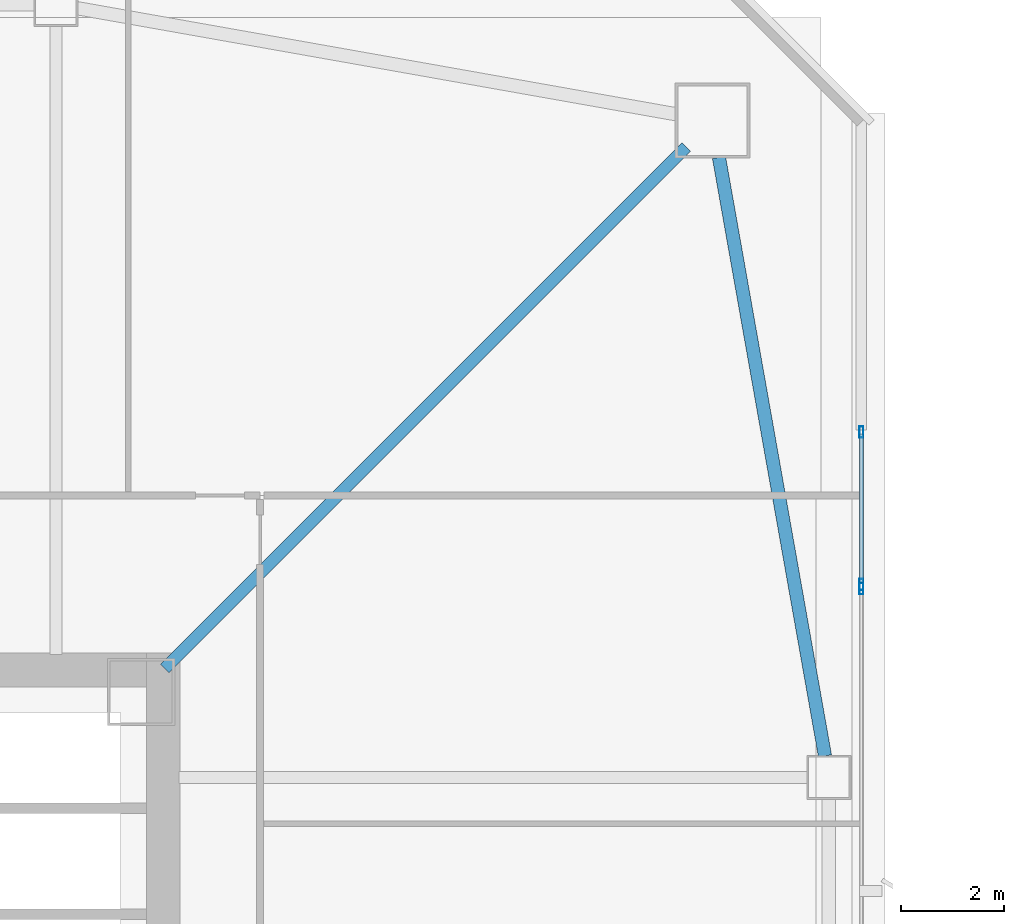
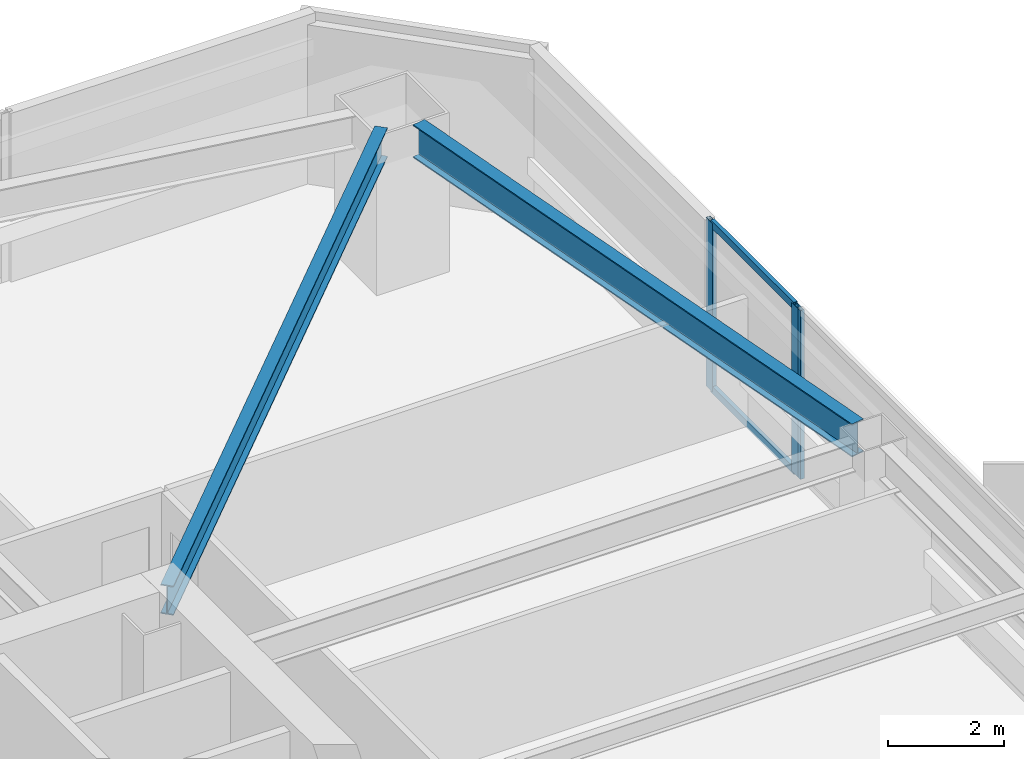
# One storey, part 17 of 49: 5 members, 2 beams, 2 elements without a shape of their own.
"""IFC4 building model written with IfcOpenShell, lengths in metres."""

from ifc_helpers import new_model, si_unit, direction, frame, origin, origin_2d, place, context, subcontext, project, spatial, hollow_rectangle, i_section, extrude, material, material_profile, profile_set, type_object, element, aggregate, save


model = new_model("IFC4")

# Units and contexts
model_context = context("Model", 3, precision=1e-05, world=origin(), true_north=direction((0.0, 1.0)))
body_context = subcontext(model_context, "Body", "Model", "MODEL_VIEW")
ifc_project = project(units=[si_unit("LENGTHUNIT", "METRE"), si_unit("AREAUNIT", "SQUARE_METRE"), si_unit("VOLUMEUNIT", "CUBIC_METRE"), si_unit("PLANEANGLEUNIT", "RADIAN"), si_unit("MASSUNIT", "GRAM", prefix="KILO")], contexts=[model_context])

# Site, building, storey
site_placement = place(None, origin())
site = spatial("IfcSite", under=ifc_project, at=site_placement, CompositionType="ELEMENT")
building_placement = place(site_placement, origin())
building = spatial("IfcBuilding", under=site, at=building_placement, Name="Tashvorn Skyway Center", CompositionType="ELEMENT")
storey_placement = place(building_placement, frame((0.0, 0.0, 70.75)))
storey = spatial("IfcBuildingStorey", under=building, at=storey_placement, Name="L18", CompositionType="ELEMENT", Elevation=70.75)

# Beams
ifc_material_1 = material(Name="Steel ASTM A992 Grade 50", Category="steel")
ifc_material_profile_1 = material_profile(ifc_material_1, i_section(OverallWidth=0.22998046875, OverallDepth=0.616943359375, WebThickness=0.01318359375, FlangeThickness=0.022216796875, at=origin_2d()), Name="W24X94")
ifc_profile_set_1 = profile_set([ifc_material_profile_1], Name="Steel ASTM A992 Grade 50")
beam_type_1 = type_object("IfcBeamType", Name="BM-BEAM-W24X94", PredefinedType="BEAM", material=ifc_profile_set_1)
beam_1_placement = place(storey_placement, frame((59.5908203125, 49.5908203125, 3.04150390625), z_axis=(-0.707106781187, -0.707106781187, 0.0), x_axis=(0.707106781187, -0.707106781187, 0.0)))
element("IfcBeam", 1, at=beam_1_placement, inside=storey, type_object=beam_type_1, Name="Tower 1 L18 Primary Floor Girder MC-NE", PredefinedType="BEAM", context=body_context, shape_type="SweptSolid", body=[
    extrude(i_section(OverallWidth=0.22998046875, OverallDepth=0.616943359375, WebThickness=0.01318359375, FlangeThickness=0.022216796875, at=origin_2d()), origin(), (0.0, 0.0, 1.0), 14.261962890625),
])
ifc_material_profile_2 = material_profile(ifc_material_1, i_section(OverallWidth=0.256103515625, OverallDepth=0.693115234375, WebThickness=0.014404296875, FlangeThickness=0.023681640625, at=origin_2d()), Name="W27X114")
ifc_profile_set_2 = profile_set([ifc_material_profile_2], Name="Steel ASTM A992 Grade 50")
beam_type_2 = type_object("IfcBeamType", Name="BM-SPANDREL-W27X114", PredefinedType="SPANDREL", material=ifc_profile_set_2)
beam_2_placement = place(storey_placement, frame((62.276611328125, 37.8134765625, 3.00341796875), z_axis=(-0.174437966698, 0.98466816531, 0.0), x_axis=(-0.98466816531, -0.174437966698, 0.0)))
element("IfcBeam", 2, at=beam_2_placement, inside=storey, type_object=beam_type_2, Name="Tower 1 L18 Spandrel Beam 06", PredefinedType="SPANDREL", context=body_context, shape_type="SweptSolid", body=[
    extrude(i_section(OverallWidth=0.256103515625, OverallDepth=0.693115234375, WebThickness=0.014404296875, FlangeThickness=0.023681640625, at=origin_2d()), origin(), (0.0, 0.0, 1.0), 11.7578125),
])

# Curtain wall, members
ifc_material_2 = material(Name="Thermally broken bronze-anodized aluminium 6063-T6", Category="aluminium")
curtain_wall_type = type_object("IfcCurtainWallType", Name="CW-CW-Z2", PredefinedType="NOTDEFINED", material=ifc_material_2)
curtain_wall_1_placement = place(storey_placement, origin())
curtain_wall_1 = element("IfcCurtainWall", 3, at=curtain_wall_1_placement, inside=storey, type_object=curtain_wall_type, Name="Tower 1 L18 East Unitised Curtain Wall Glazing Group 1", PredefinedType="NOTDEFINED")
ifc_material_profile_3 = material_profile(ifc_material_2, hollow_rectangle(XDim=0.080078125, YDim=0.219970703125, WallThickness=0.0048828125, at=origin_2d()), Name="ALU-MULL-80x220")
ifc_profile_set_3 = profile_set([ifc_material_profile_3], Name="Thermally broken bronze-anodized aluminium 6063-T6")
member_type_1 = type_object("IfcMemberType", Name="CWM-CW-Z2", PredefinedType="MULLION", material=ifc_profile_set_3)
member_1_placement = place(storey_placement, frame((62.97998046875, 44.080078125, 0.0), z_axis=(0.0, 0.0, 1.0), x_axis=(1.0, 0.0, 0.0)))
member_1 = element("IfcMember", 4, at=member_1_placement, type_object=member_type_1, Name="CW-Z2 mullion 1", PredefinedType="MULLION", context=body_context, shape_type="SweptSolid", body=[
    extrude(hollow_rectangle(XDim=0.080078125, YDim=0.219970703125, WallThickness=0.0048828125, at=origin_2d()), origin(), (0.0, 0.0, 1.0), 3.550048828125),
])
member_2_placement = place(storey_placement, frame((62.97998046875, 41.1298828125, 0.0), z_axis=(0.0, 0.0, 1.0), x_axis=(1.0, 0.0, 0.0)))
member_2 = element("IfcMember", 5, at=member_2_placement, type_object=member_type_1, Name="CW-Z2 mullion 2", PredefinedType="MULLION", context=body_context, shape_type="SweptSolid", body=[
    extrude(hollow_rectangle(XDim=0.080078125, YDim=0.219970703125, WallThickness=0.0048828125, at=origin_2d()), origin(), (0.0, 0.0, 1.0), 3.550048828125),
])

# Curtain wall, member
curtain_wall_2_placement = place(storey_placement, origin())
curtain_wall_2 = element("IfcCurtainWall", 6, at=curtain_wall_2_placement, inside=storey, type_object=curtain_wall_type, Name="Tower 1 L18 East Unitised Curtain Wall Glazing Group 2", PredefinedType="NOTDEFINED")
member_3_placement = place(storey_placement, frame((62.97998046875, 41.050048828125, 0.0), z_axis=(0.0, 0.0, 1.0), x_axis=(1.0, 0.0, 0.0)))
member_3 = element("IfcMember", 7, at=member_3_placement, type_object=member_type_1, Name="CW-Z2 mullion 1", PredefinedType="MULLION", context=body_context, shape_type="SweptSolid", body=[
    extrude(hollow_rectangle(XDim=0.080078125, YDim=0.219970703125, WallThickness=0.0048828125, at=origin_2d()), origin(), (0.0, 0.0, 1.0), 3.550048828125),
])
aggregate(curtain_wall_2, [member_3])

# Member
ifc_material_profile_4 = material_profile(ifc_material_2, hollow_rectangle(XDim=0.080078125, YDim=0.14990234375, WallThickness=0.00439453125, at=origin_2d()), Name="ALU-TRAN-80x150")
ifc_profile_set_4 = profile_set([ifc_material_profile_4], Name="Thermally broken bronze-anodized aluminium 6063-T6")
member_type_2 = type_object("IfcMemberType", Name="CWT-CW-Z2", PredefinedType="USERDEFINED", material=ifc_profile_set_4)
member_4_placement = place(storey_placement, frame((62.97998046875, 44.0400390625, 0.0400390625), z_axis=(0.0, -1.0, 0.0), x_axis=(1.0, 0.0, 0.0)))
member_4 = element("IfcMember", 8, at=member_4_placement, type_object=member_type_2, Name="CW-Z2 transom 1.1", ObjectType="TRANSOM", PredefinedType="USERDEFINED", context=body_context, shape_type="SweptSolid", body=[
    extrude(hollow_rectangle(XDim=0.080078125, YDim=0.14990234375, WallThickness=0.00439453125, at=origin_2d()), origin(), (0.0, 0.0, 1.0), 2.8701171875),
])

member_5_placement = place(storey_placement, frame((62.97998046875, 44.0400390625, 3.510009765625), z_axis=(0.0, -1.0, 0.0), x_axis=(1.0, 0.0, 0.0)))
member_5 = element("IfcMember", 9, at=member_5_placement, type_object=member_type_2, Name="CW-Z2 transom 1.2", ObjectType="TRANSOM", PredefinedType="USERDEFINED", context=body_context, shape_type="SweptSolid", body=[
    extrude(hollow_rectangle(XDim=0.080078125, YDim=0.14990234375, WallThickness=0.00439453125, at=origin_2d()), origin(), (0.0, 0.0, 1.0), 2.8701171875),
])

aggregate(curtain_wall_1, [member_1, member_2, member_4, member_5])

save(model, "model.ifc")
